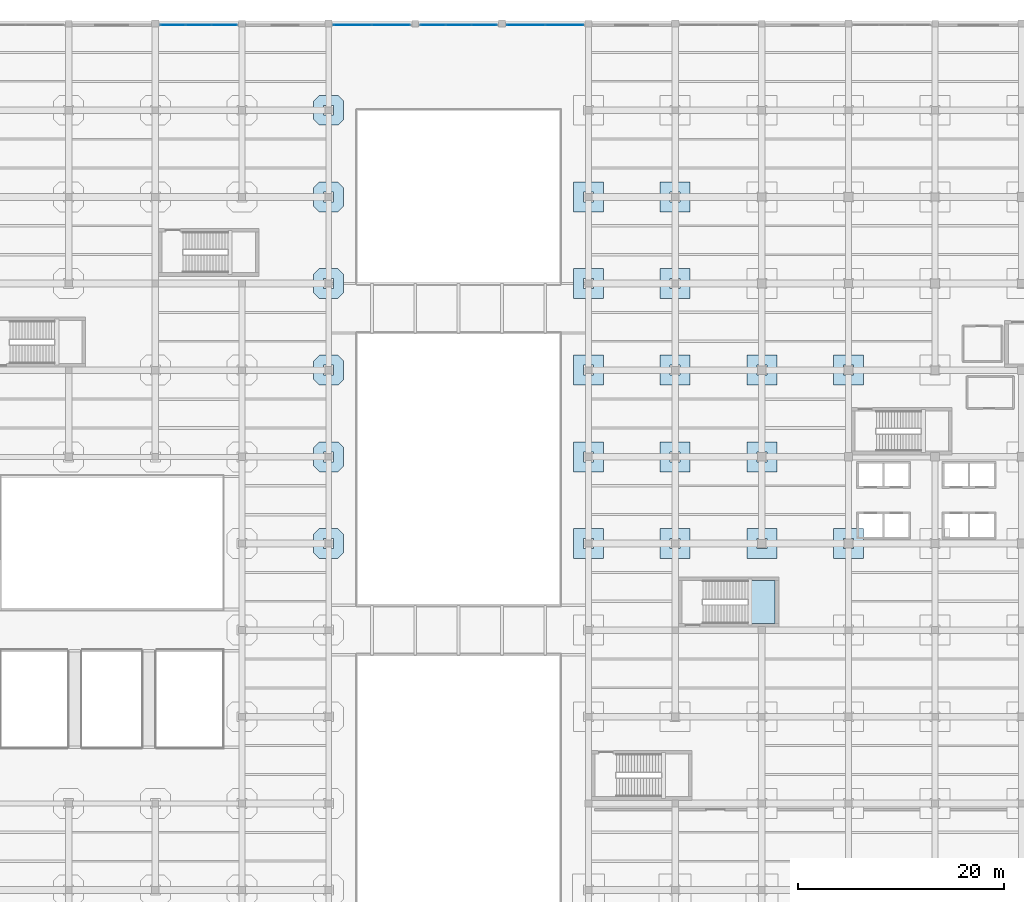
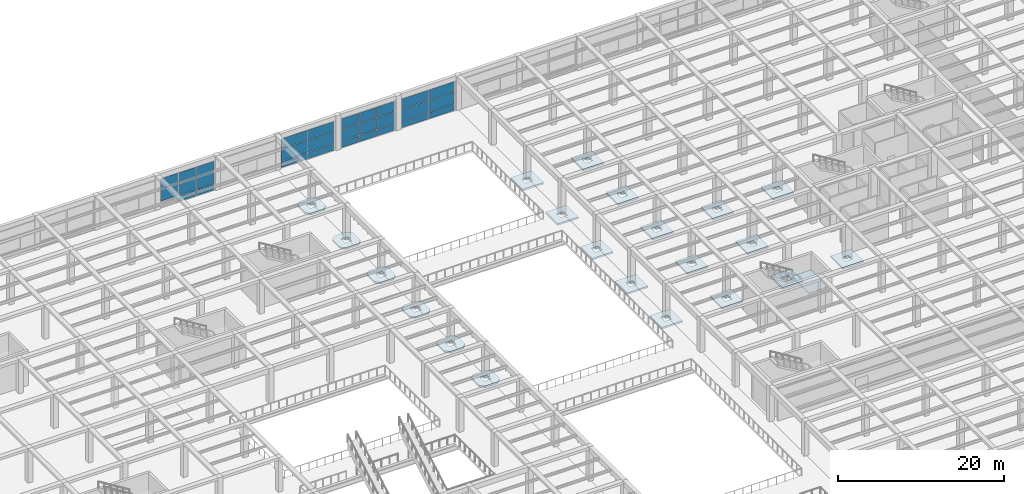
# One storey, part 73 of 95: 29 plates, 22 slabs, 5 elements without a shape of their own.
"""IFC4 building model written with IfcOpenShell, lengths in metres."""

import ifcopenshell
import ifcopenshell.guid

model = None  # the IFC model being written
_history = None  # IfcOwnerHistory: only IFC2X3 demands one
_inside = {}  # id of a spatial element -> (the spatial element, [elements in it])
_under = {}  # id of a project, library or spatial element -> (it, [spatial elements below it])
_declared = {}  # id of a project -> (the project, [libraries it declares])
_typed = {}  # id of a type object -> (the type object, [elements of that type])
_made_of = {}  # id of a material, layer set ... -> (it, [elements and type objects made of it])


def new_model(schema):
    """Start an empty IFC model of exactly this schema.

    Asked for "IFC4X3", IfcOpenShell would pick the latest addendum, in which some entities
    have other attributes; the version numbers below select the first issue.
    IFC2X3 requires an IfcOwnerHistory on every rooted entity: one is made here for all.
    """
    global model, _history
    if schema == "IFC4X3":
        model = ifcopenshell.file(schema_version=(4, 3, 0, 0))
    else:
        model = ifcopenshell.file(schema=schema)
    _inside.clear()
    _under.clear()
    _declared.clear()
    _typed.clear()
    _made_of.clear()
    _history = None
    if model.schema == "IFC2X3":
        org = make("IfcOrganization", Name="unknown")
        user = make(
            "IfcPersonAndOrganization",
            ThePerson=make("IfcPerson", FamilyName="unknown"),
            TheOrganization=org,
        )
        app = make(
            "IfcApplication",
            ApplicationDeveloper=org,
            Version="unknown",
            ApplicationFullName="unknown",
            ApplicationIdentifier="unknown",
        )
        _history = make(
            "IfcOwnerHistory",
            OwningUser=user,
            OwningApplication=app,
            ChangeAction="ADDED",
            CreationDate=0,
        )
    return model


def make(cls, **values):
    """One entity of the class cls with the attributes given. An attribute that is None is left unset."""
    return model.create_entity(
        cls, **{name: value for name, value in values.items() if value is not None}
    )


def rooted(cls, **values):
    """An entity with a GlobalId (a new one), such as an element, a storey or a relation."""
    return make(cls, GlobalId=ifcopenshell.guid.new(), OwnerHistory=_history, **values)


def si_unit(unit_type, name, prefix=None):
    """IfcSIUnit, for example si_unit("LENGTHUNIT", "METRE", prefix="MILLI")."""
    return make("IfcSIUnit", UnitType=unit_type, Prefix=prefix, Name=name)


def assignment(units):
    """IfcUnitAssignment: the units of a project."""
    return None if units is None else make("IfcUnitAssignment", Units=units)


def point(xyz):
    """IfcCartesianPoint."""
    return None if xyz is None else make("IfcCartesianPoint", Coordinates=xyz)


def direction(xyz):
    """IfcDirection."""
    return None if xyz is None else make("IfcDirection", DirectionRatios=xyz)


def frame(location, z_axis=None, x_axis=None):
    """IfcAxis2Placement3D, a coordinate frame: its origin and axes. An axis left out is left unset."""
    return make(
        "IfcAxis2Placement3D",
        Location=point(location),
        Axis=direction(z_axis),
        RefDirection=direction(x_axis),
    )


def frame_2d(location, x_axis=None):
    """IfcAxis2Placement2D, a coordinate frame in the plane: its origin and x axis."""
    return make(
        "IfcAxis2Placement2D", Location=point(location), RefDirection=direction(x_axis)
    )


def origin():
    """The frame at (0, 0, 0) with its axes left unset."""
    return frame((0.0, 0.0, 0.0))


def origin_2d():
    """The frame at (0, 0) in the plane with its x axis left unset."""
    return frame_2d((0.0, 0.0))


def place(relative_to, where):
    """IfcLocalPlacement: puts the frame where relative to a parent placement (None: the world)."""
    return make(
        "IfcLocalPlacement", PlacementRelTo=relative_to, RelativePlacement=where
    )


def context(
    kind, dimensions, precision=None, world=None, true_north=None, identifier=None
):
    """IfcGeometricRepresentationContext, for example the 3D "Model" context."""
    return make(
        "IfcGeometricRepresentationContext",
        ContextIdentifier=identifier,
        ContextType=kind,
        CoordinateSpaceDimension=dimensions,
        Precision=precision,
        WorldCoordinateSystem=world,
        TrueNorth=true_north,
    )


def subcontext(parent, identifier, kind, view, scale=None):
    """IfcGeometricRepresentationSubContext, for example "Body" below "Model"."""
    return make(
        "IfcGeometricRepresentationSubContext",
        ContextIdentifier=identifier,
        ContextType=kind,
        ParentContext=parent,
        TargetScale=scale,
        TargetView=view,
    )


def project(units=None, contexts=None):
    """IfcProject with its units and contexts."""
    return rooted(
        "IfcProject",
        Name="project",
        RepresentationContexts=contexts,
        UnitsInContext=assignment(units),
    )


def spatial(cls, under=None, at=None, **own):
    """A site, building, storey or space (cls), placed at a placement, below another one or the project."""
    s = rooted(cls, ObjectPlacement=at, **own)
    if under is not None:
        _under.setdefault(under.id(), (under, []))[1].append(s)
    return s


def polyline(points):
    """IfcPolyline through the points."""
    return make("IfcPolyline", Points=[point(p) for p in points])


def profile(cls, at=None, kind="AREA", **sizes):
    """A parametric profile (cls). Its sizes go by their IFC names, for example OverallWidth=200.0."""
    return make(cls, ProfileType=kind, Position=at, **sizes)


def rectangle(**sizes):
    """IfcRectangleProfileDef."""
    return profile("IfcRectangleProfileDef", **sizes)


def outline(outer, holes=None, kind="AREA"):
    """IfcArbitraryClosedProfileDef: a profile drawn as a closed curve; with holes, ...WithVoids."""
    if holes is None:
        return make("IfcArbitraryClosedProfileDef", ProfileType=kind, OuterCurve=outer)
    return make(
        "IfcArbitraryProfileDefWithVoids",
        ProfileType=kind,
        OuterCurve=outer,
        InnerCurves=holes,
    )


def extrude(swept, where, along, depth):
    """IfcExtrudedAreaSolid: the profile swept, set in the frame where, extruded along a direction by depth."""
    return make(
        "IfcExtrudedAreaSolid",
        SweptArea=swept,
        Position=where,
        ExtrudedDirection=direction(along),
        Depth=depth,
    )


def shape(context_of_items, identifier, shape_type, items):
    """IfcShapeRepresentation: the items that make up one representation, for example the "Body"."""
    return make(
        "IfcShapeRepresentation",
        ContextOfItems=context_of_items,
        RepresentationIdentifier=identifier,
        RepresentationType=shape_type,
        Items=items,
    )


def material(Name=None, Category=None):
    """IfcMaterial."""
    return make("IfcMaterial", Name=Name, Category=Category)


def layer(
    of_material, thickness, ventilated=None, Name=None, Category=None, Priority=None
):
    """IfcMaterialLayer: one layer of a wall or slab, of a material (None: an air gap)."""
    return make(
        "IfcMaterialLayer",
        Material=of_material,
        LayerThickness=thickness,
        IsVentilated=ventilated,
        Name=Name,
        Category=Category,
        Priority=Priority,
    )


def layer_set(layers, Name=None):
    """IfcMaterialLayerSet."""
    return make("IfcMaterialLayerSet", MaterialLayers=layers, LayerSetName=Name)


def made_of(thing, what):
    """Note that an element or type object is made of a material, layer set ...; save() writes the relation."""
    if what is not None:
        _made_of.setdefault(what.id(), (what, []))[1].append(thing)
    return thing


def type_object(cls, material=None, **own):
    """A type object (cls), such as IfcWallType, which elements share."""
    return made_of(rooted(cls, **own), material)


def element(
    cls,
    number,
    at=None,
    inside=None,
    cuts=None,
    type_object=None,
    material=None,
    context=None,
    identifier="Body",
    shape_type=None,
    held_by="IfcProductDefinitionShape",
    body=None,
    shapes=None,
    **own,
):
    """One element of the class cls, such as IfcWall. Its Tag is "e" and its number.

    at: its placement. inside: the storey or other place that contains it. cuts: it is an
    opening in that element (IfcRelVoidsElement). A single representation is given by context,
    identifier, shape_type and body (its items); several are given by shapes. held_by: the class
    of the entity that holds the representations. save() writes the other relations.
    """
    e = rooted(cls, Tag="e%d" % number, ObjectPlacement=at, **own)
    if body is not None:
        shapes = [shape(context, identifier, shape_type, body)]
    if shapes is not None:
        e.Representation = make(held_by, Representations=shapes)
    if inside is not None:
        _inside.setdefault(inside.id(), (inside, []))[1].append(e)
    if cuts is not None:
        rooted(
            "IfcRelVoidsElement", RelatingBuildingElement=cuts, RelatedOpeningElement=e
        )
    if type_object is not None:
        _typed.setdefault(type_object.id(), (type_object, []))[1].append(e)
    return made_of(e, material)


def aggregate(whole, parts):
    """IfcRelAggregates: a whole, such as a stair, and the parts it consists of."""
    return rooted("IfcRelAggregates", RelatingObject=whole, RelatedObjects=parts)


def save(model, path):
    """Write the relations noted so far, then the file.

    IfcRelAggregates (storeys below a building ...), IfcRelContainedInSpatialStructure (elements
    in a storey), IfcRelDefinesByType, IfcRelAssociatesMaterial and IfcRelDeclares: one each for
    every whole, place, type object, material and project.
    """
    for whole, parts in _under.values():
        aggregate(whole, parts)
    for where, things in _inside.values():
        rooted(
            "IfcRelContainedInSpatialStructure",
            RelatedElements=things,
            RelatingStructure=where,
        )
    for kind, things in _typed.values():
        rooted("IfcRelDefinesByType", RelatedObjects=things, RelatingType=kind)
    for what, things in _made_of.values():
        rooted("IfcRelAssociatesMaterial", RelatedObjects=things, RelatingMaterial=what)
    for by, libraries in _declared.values():
        rooted("IfcRelDeclares", RelatingContext=by, RelatedDefinitions=libraries)
    model.write(path)


model = new_model("IFC4")

# Units and contexts
model_context = context("Model", 3, precision=1e-05, world=origin(), true_north=direction((0.0, 1.0)))
body_context = subcontext(model_context, "Body", "Model", "MODEL_VIEW")
ifc_project = project(units=[si_unit("LENGTHUNIT", "METRE"), si_unit("AREAUNIT", "SQUARE_METRE"), si_unit("VOLUMEUNIT", "CUBIC_METRE"), si_unit("PLANEANGLEUNIT", "RADIAN"), si_unit("MASSUNIT", "GRAM", prefix="KILO")], contexts=[model_context])

# Site, building, storey
site_placement = place(None, origin())
site = spatial("IfcSite", under=ifc_project, at=site_placement, CompositionType="ELEMENT")
building_placement = place(site_placement, origin())
building = spatial("IfcBuilding", under=site, at=building_placement, Name="Almacenes y Pasaje Nevantli", CompositionType="ELEMENT")
storey_placement = place(building_placement, frame((0.0, 0.0, 11.39990234375)))
storey = spatial("IfcBuildingStorey", under=building, at=storey_placement, Name="L03", CompositionType="ELEMENT", Elevation=11.39990234375)

# Curtain wall, plates
ifc_material_1 = material(Name="Thermally Broken Aluminium and Low-E Glass", Category="aluminium")
curtain_wall_type_1 = type_object("IfcCurtainWallType", Name="CW-STF-BLVD", PredefinedType="USERDEFINED", material=ifc_material_1)
curtain_wall_1_placement = place(storey_placement, origin())
curtain_wall_1 = element("IfcCurtainWall", 1, at=curtain_wall_1_placement, inside=storey, type_object=curtain_wall_type_1, Name="L03 North Boulevard Retail Curtain Wall Bay 7", ObjectType="STOREFRONT GLAZING", PredefinedType="USERDEFINED")
ifc_material_2 = material(Name="Low-E Double Glazed Insulated Unit", Category="glass")
ifc_layer_1 = layer(ifc_material_2, 0.031982421875)
ifc_layer_set_1 = layer_set([ifc_layer_1], Name="Low-E Double Glazed Insulated Unit")
plate_type_1 = type_object("IfcPlateType", Name="PL-IGU-32", PredefinedType="CURTAIN_PANEL", material=ifc_layer_set_1)
plate_1_placement = place(storey_placement, frame((52.114990234375, 117.449951171875, 0.97998046875), z_axis=(0.0, 0.0, 1.0), x_axis=(1.0, 0.0, 0.0)))
plate_1 = element("IfcPlate", 2, at=plate_1_placement, type_object=plate_type_1, Name="CW-L03-037 panel 1.2", PredefinedType="CURTAIN_PANEL", context=body_context, shape_type="SweptSolid", body=[
    extrude(rectangle(XDim=2.409912109375, YDim=0.031982421875, at=origin_2d()), origin(), (0.0, 0.0, 1.0), 1.840087890625),
])
plate_2_placement = place(storey_placement, frame((52.114990234375, 117.449951171875, 2.880126953125), z_axis=(0.0, 0.0, 1.0), x_axis=(1.0, 0.0, 0.0)))
plate_2 = element("IfcPlate", 3, at=plate_2_placement, type_object=plate_type_1, Name="CW-L03-037 panel 1.3", PredefinedType="CURTAIN_PANEL", context=body_context, shape_type="SweptSolid", body=[
    extrude(rectangle(XDim=2.409912109375, YDim=0.031982421875, at=origin_2d()), origin(), (0.0, 0.0, 1.0), 1.43994140625),
])
plate_3_placement = place(storey_placement, frame((54.60009765625, 117.449951171875, 0.06005859375), z_axis=(0.0, 0.0, 1.0), x_axis=(1.0, 0.0, 0.0)))
plate_3 = element("IfcPlate", 4, at=plate_3_placement, type_object=plate_type_1, Name="CW-L03-037 panel 2.1", PredefinedType="CURTAIN_PANEL", context=body_context, shape_type="SweptSolid", body=[
    extrude(rectangle(XDim=2.43994140625, YDim=0.031982421875, at=origin_2d()), origin(), (0.0, 0.0, 1.0), 0.860107421875),
])
plate_4_placement = place(storey_placement, frame((54.60009765625, 117.449951171875, 0.97998046875), z_axis=(0.0, 0.0, 1.0), x_axis=(1.0, 0.0, 0.0)))
plate_4 = element("IfcPlate", 5, at=plate_4_placement, type_object=plate_type_1, Name="CW-L03-037 panel 2.2", PredefinedType="CURTAIN_PANEL", context=body_context, shape_type="SweptSolid", body=[
    extrude(rectangle(XDim=2.43994140625, YDim=0.031982421875, at=origin_2d()), origin(), (0.0, 0.0, 1.0), 1.840087890625),
])
plate_5_placement = place(storey_placement, frame((54.60009765625, 117.449951171875, 2.880126953125), z_axis=(0.0, 0.0, 1.0), x_axis=(1.0, 0.0, 0.0)))
plate_5 = element("IfcPlate", 6, at=plate_5_placement, type_object=plate_type_1, Name="CW-L03-037 panel 2.3", PredefinedType="CURTAIN_PANEL", context=body_context, shape_type="SweptSolid", body=[
    extrude(rectangle(XDim=2.43994140625, YDim=0.031982421875, at=origin_2d()), origin(), (0.0, 0.0, 1.0), 1.43994140625),
])
plate_6_placement = place(storey_placement, frame((57.0849609375, 117.449951171875, 0.06005859375), z_axis=(0.0, 0.0, 1.0), x_axis=(1.0, 0.0, 0.0)))
plate_6 = element("IfcPlate", 7, at=plate_6_placement, type_object=plate_type_1, Name="CW-L03-037 panel 3.1", PredefinedType="CURTAIN_PANEL", context=body_context, shape_type="SweptSolid", body=[
    extrude(rectangle(XDim=2.409912109375, YDim=0.031982421875, at=origin_2d()), origin(), (0.0, 0.0, 1.0), 0.860107421875),
])
plate_7_placement = place(storey_placement, frame((57.0849609375, 117.449951171875, 0.97998046875), z_axis=(0.0, 0.0, 1.0), x_axis=(1.0, 0.0, 0.0)))
plate_7 = element("IfcPlate", 8, at=plate_7_placement, type_object=plate_type_1, Name="CW-L03-037 panel 3.2", PredefinedType="CURTAIN_PANEL", context=body_context, shape_type="SweptSolid", body=[
    extrude(rectangle(XDim=2.409912109375, YDim=0.031982421875, at=origin_2d()), origin(), (0.0, 0.0, 1.0), 1.840087890625),
])
plate_8_placement = place(storey_placement, frame((57.0849609375, 117.449951171875, 2.880126953125), z_axis=(0.0, 0.0, 1.0), x_axis=(1.0, 0.0, 0.0)))
plate_8 = element("IfcPlate", 9, at=plate_8_placement, type_object=plate_type_1, Name="CW-L03-037 panel 3.3", PredefinedType="CURTAIN_PANEL", context=body_context, shape_type="SweptSolid", body=[
    extrude(rectangle(XDim=2.409912109375, YDim=0.031982421875, at=origin_2d()), origin(), (0.0, 0.0, 1.0), 1.43994140625),
])
aggregate(curtain_wall_1, [plate_1, plate_2, plate_3, plate_4, plate_5, plate_6, plate_7, plate_8])

ifc_material_3 = material(Name="Thermally Broken Aluminium and Low-E Glass", Category="aluminium")
curtain_wall_type_2 = type_object("IfcCurtainWallType", Name="CW-STF-ARCADE", PredefinedType="USERDEFINED", material=ifc_material_3)
curtain_wall_2_placement = place(storey_placement, origin())
curtain_wall_2 = element("IfcCurtainWall", 10, at=curtain_wall_2_placement, inside=storey, type_object=curtain_wall_type_2, Name="L03 North Arcade Monumental Portal Curtain Wall Bay 9", ObjectType="STOREFRONT GLAZING", PredefinedType="USERDEFINED")
ifc_material_4 = material(Name="Acoustic Tempered Low-E Triple Glazed Unit", Category="glass")
ifc_layer_2 = layer(ifc_material_4, 0.0419921875)
ifc_layer_set_2 = layer_set([ifc_layer_2], Name="Acoustic Tempered Low-E Triple Glazed Unit")
plate_type_2 = type_object("IfcPlateType", Name="PL-IGU-42", PredefinedType="CURTAIN_PANEL", material=ifc_layer_set_2)
plate_9_placement = place(storey_placement, frame((69.541259765625, 117.449951171875, 0.06494140625), z_axis=(0.0, 0.0, 1.0), x_axis=(1.0, 0.0, 0.0)))
plate_9 = element("IfcPlate", 11, at=plate_9_placement, type_object=plate_type_2, Name="CW-L03-038 panel 1.1", PredefinedType="CURTAIN_PANEL", context=body_context, shape_type="SweptSolid", body=[
    extrude(rectangle(XDim=3.652587890625, YDim=0.0419921875, at=origin_2d()), origin(), (0.0, 0.0, 1.0), 0.902587890625),
])
plate_10_placement = place(storey_placement, frame((69.541259765625, 117.449951171875, 1.03271484375), z_axis=(0.0, 0.0, 1.0), x_axis=(1.0, 0.0, 0.0)))
plate_10 = element("IfcPlate", 12, at=plate_10_placement, type_object=plate_type_2, Name="CW-L03-038 panel 1.2", PredefinedType="CURTAIN_PANEL", context=body_context, shape_type="SweptSolid", body=[
    extrude(rectangle(XDim=3.652587890625, YDim=0.0419921875, at=origin_2d()), origin(), (0.0, 0.0, 1.0), 1.735107421875),
])
plate_11_placement = place(storey_placement, frame((69.541259765625, 117.449951171875, 2.83251953125), z_axis=(0.0, 0.0, 1.0), x_axis=(1.0, 0.0, 0.0)))
plate_11 = element("IfcPlate", 13, at=plate_11_placement, type_object=plate_type_2, Name="CW-L03-038 panel 1.3", PredefinedType="CURTAIN_PANEL", context=body_context, shape_type="SweptSolid", body=[
    extrude(rectangle(XDim=3.652587890625, YDim=0.0419921875, at=origin_2d()), origin(), (0.0, 0.0, 1.0), 1.482421875),
])
plate_12_placement = place(storey_placement, frame((73.2587890625, 117.449951171875, 0.06494140625), z_axis=(0.0, 0.0, 1.0), x_axis=(1.0, 0.0, 0.0)))
plate_12 = element("IfcPlate", 14, at=plate_12_placement, type_object=plate_type_2, Name="CW-L03-038 panel 2.1", PredefinedType="CURTAIN_PANEL", context=body_context, shape_type="SweptSolid", body=[
    extrude(rectangle(XDim=3.652587890625, YDim=0.0419921875, at=origin_2d()), origin(), (0.0, 0.0, 1.0), 0.902587890625),
])
plate_13_placement = place(storey_placement, frame((73.2587890625, 117.449951171875, 1.03271484375), z_axis=(0.0, 0.0, 1.0), x_axis=(1.0, 0.0, 0.0)))
plate_13 = element("IfcPlate", 15, at=plate_13_placement, type_object=plate_type_2, Name="CW-L03-038 panel 2.2", PredefinedType="CURTAIN_PANEL", context=body_context, shape_type="SweptSolid", body=[
    extrude(rectangle(XDim=3.652587890625, YDim=0.0419921875, at=origin_2d()), origin(), (0.0, 0.0, 1.0), 1.735107421875),
])
plate_14_placement = place(storey_placement, frame((73.2587890625, 117.449951171875, 2.83251953125), z_axis=(0.0, 0.0, 1.0), x_axis=(1.0, 0.0, 0.0)))
plate_14 = element("IfcPlate", 16, at=plate_14_placement, type_object=plate_type_2, Name="CW-L03-038 panel 2.3", PredefinedType="CURTAIN_PANEL", context=body_context, shape_type="SweptSolid", body=[
    extrude(rectangle(XDim=3.652587890625, YDim=0.0419921875, at=origin_2d()), origin(), (0.0, 0.0, 1.0), 1.482421875),
])
aggregate(curtain_wall_2, [plate_9, plate_10, plate_11, plate_12, plate_13, plate_14])

curtain_wall_3_placement = place(storey_placement, origin())
curtain_wall_3 = element("IfcCurtainWall", 17, at=curtain_wall_3_placement, inside=storey, type_object=curtain_wall_type_2, Name="L03 North Arcade Monumental Portal Curtain Wall Bay 10", ObjectType="STOREFRONT GLAZING", PredefinedType="USERDEFINED")
plate_15_placement = place(storey_placement, frame((77.316162109375, 117.449951171875, 0.06494140625), z_axis=(0.0, 0.0, 1.0), x_axis=(1.0, 0.0, 0.0)))
plate_15 = element("IfcPlate", 18, at=plate_15_placement, type_object=plate_type_2, Name="CW-L03-039 panel 1.1", PredefinedType="CURTAIN_PANEL", context=body_context, shape_type="SweptSolid", body=[
    extrude(rectangle(XDim=2.402587890625, YDim=0.0419921875, at=origin_2d()), origin(), (0.0, 0.0, 1.0), 0.902587890625),
])
plate_16_placement = place(storey_placement, frame((77.316162109375, 117.449951171875, 1.03271484375), z_axis=(0.0, 0.0, 1.0), x_axis=(1.0, 0.0, 0.0)))
plate_16 = element("IfcPlate", 19, at=plate_16_placement, type_object=plate_type_2, Name="CW-L03-039 panel 1.2", PredefinedType="CURTAIN_PANEL", context=body_context, shape_type="SweptSolid", body=[
    extrude(rectangle(XDim=2.402587890625, YDim=0.0419921875, at=origin_2d()), origin(), (0.0, 0.0, 1.0), 1.735107421875),
])
plate_17_placement = place(storey_placement, frame((77.316162109375, 117.449951171875, 2.83251953125), z_axis=(0.0, 0.0, 1.0), x_axis=(1.0, 0.0, 0.0)))
plate_17 = element("IfcPlate", 20, at=plate_17_placement, type_object=plate_type_2, Name="CW-L03-039 panel 1.3", PredefinedType="CURTAIN_PANEL", context=body_context, shape_type="SweptSolid", body=[
    extrude(rectangle(XDim=2.402587890625, YDim=0.0419921875, at=origin_2d()), origin(), (0.0, 0.0, 1.0), 1.482421875),
])
plate_18_placement = place(storey_placement, frame((79.800048828125, 117.449951171875, 0.06494140625), z_axis=(0.0, 0.0, 1.0), x_axis=(1.0, 0.0, 0.0)))
plate_18 = element("IfcPlate", 21, at=plate_18_placement, type_object=plate_type_2, Name="CW-L03-039 panel 2.1", PredefinedType="CURTAIN_PANEL", context=body_context, shape_type="SweptSolid", body=[
    extrude(rectangle(XDim=2.43505859375, YDim=0.0419921875, at=origin_2d()), origin(), (0.0, 0.0, 1.0), 0.902587890625),
])
plate_19_placement = place(storey_placement, frame((79.800048828125, 117.449951171875, 1.03271484375), z_axis=(0.0, 0.0, 1.0), x_axis=(1.0, 0.0, 0.0)))
plate_19 = element("IfcPlate", 22, at=plate_19_placement, type_object=plate_type_2, Name="CW-L03-039 panel 2.2", PredefinedType="CURTAIN_PANEL", context=body_context, shape_type="SweptSolid", body=[
    extrude(rectangle(XDim=2.43505859375, YDim=0.0419921875, at=origin_2d()), origin(), (0.0, 0.0, 1.0), 1.735107421875),
])
plate_20_placement = place(storey_placement, frame((79.800048828125, 117.449951171875, 2.83251953125), z_axis=(0.0, 0.0, 1.0), x_axis=(1.0, 0.0, 0.0)))
plate_20 = element("IfcPlate", 23, at=plate_20_placement, type_object=plate_type_2, Name="CW-L03-039 panel 2.3", PredefinedType="CURTAIN_PANEL", context=body_context, shape_type="SweptSolid", body=[
    extrude(rectangle(XDim=2.43505859375, YDim=0.0419921875, at=origin_2d()), origin(), (0.0, 0.0, 1.0), 1.482421875),
])
plate_21_placement = place(storey_placement, frame((82.28369140625, 117.449951171875, 0.06494140625), z_axis=(0.0, 0.0, 1.0), x_axis=(1.0, 0.0, 0.0)))
plate_21 = element("IfcPlate", 24, at=plate_21_placement, type_object=plate_type_2, Name="CW-L03-039 panel 3.1", PredefinedType="CURTAIN_PANEL", context=body_context, shape_type="SweptSolid", body=[
    extrude(rectangle(XDim=2.402587890625, YDim=0.0419921875, at=origin_2d()), origin(), (0.0, 0.0, 1.0), 0.902587890625),
])
plate_22_placement = place(storey_placement, frame((82.28369140625, 117.449951171875, 1.03271484375), z_axis=(0.0, 0.0, 1.0), x_axis=(1.0, 0.0, 0.0)))
plate_22 = element("IfcPlate", 25, at=plate_22_placement, type_object=plate_type_2, Name="CW-L03-039 panel 3.2", PredefinedType="CURTAIN_PANEL", context=body_context, shape_type="SweptSolid", body=[
    extrude(rectangle(XDim=2.402587890625, YDim=0.0419921875, at=origin_2d()), origin(), (0.0, 0.0, 1.0), 1.735107421875),
])
plate_23_placement = place(storey_placement, frame((82.28369140625, 117.449951171875, 2.83251953125), z_axis=(0.0, 0.0, 1.0), x_axis=(1.0, 0.0, 0.0)))
plate_23 = element("IfcPlate", 26, at=plate_23_placement, type_object=plate_type_2, Name="CW-L03-039 panel 3.3", PredefinedType="CURTAIN_PANEL", context=body_context, shape_type="SweptSolid", body=[
    extrude(rectangle(XDim=2.402587890625, YDim=0.0419921875, at=origin_2d()), origin(), (0.0, 0.0, 1.0), 1.482421875),
])
aggregate(curtain_wall_3, [plate_15, plate_16, plate_17, plate_18, plate_19, plate_20, plate_21, plate_22, plate_23])

curtain_wall_4_placement = place(storey_placement, origin())
curtain_wall_4 = element("IfcCurtainWall", 27, at=curtain_wall_4_placement, inside=storey, type_object=curtain_wall_type_2, Name="L03 North Arcade Monumental Portal Curtain Wall Bay 11", ObjectType="STOREFRONT GLAZING", PredefinedType="USERDEFINED")
plate_24_placement = place(storey_placement, frame((86.34130859375, 117.449951171875, 0.06494140625), z_axis=(0.0, 0.0, 1.0), x_axis=(1.0, 0.0, 0.0)))
plate_24 = element("IfcPlate", 28, at=plate_24_placement, type_object=plate_type_2, Name="CW-L03-040 panel 1.1", PredefinedType="CURTAIN_PANEL", context=body_context, shape_type="SweptSolid", body=[
    extrude(rectangle(XDim=3.652587890625, YDim=0.0419921875, at=origin_2d()), origin(), (0.0, 0.0, 1.0), 0.902587890625),
])
plate_25_placement = place(storey_placement, frame((86.34130859375, 117.449951171875, 1.03271484375), z_axis=(0.0, 0.0, 1.0), x_axis=(1.0, 0.0, 0.0)))
plate_25 = element("IfcPlate", 29, at=plate_25_placement, type_object=plate_type_2, Name="CW-L03-040 panel 1.2", PredefinedType="CURTAIN_PANEL", context=body_context, shape_type="SweptSolid", body=[
    extrude(rectangle(XDim=3.652587890625, YDim=0.0419921875, at=origin_2d()), origin(), (0.0, 0.0, 1.0), 1.735107421875),
])
plate_26_placement = place(storey_placement, frame((86.34130859375, 117.449951171875, 2.83251953125), z_axis=(0.0, 0.0, 1.0), x_axis=(1.0, 0.0, 0.0)))
plate_26 = element("IfcPlate", 30, at=plate_26_placement, type_object=plate_type_2, Name="CW-L03-040 panel 1.3", PredefinedType="CURTAIN_PANEL", context=body_context, shape_type="SweptSolid", body=[
    extrude(rectangle(XDim=3.652587890625, YDim=0.0419921875, at=origin_2d()), origin(), (0.0, 0.0, 1.0), 1.482421875),
])
plate_27_placement = place(storey_placement, frame((90.058837890625, 117.449951171875, 0.06494140625), z_axis=(0.0, 0.0, 1.0), x_axis=(1.0, 0.0, 0.0)))
plate_27 = element("IfcPlate", 31, at=plate_27_placement, type_object=plate_type_2, Name="CW-L03-040 panel 2.1", PredefinedType="CURTAIN_PANEL", context=body_context, shape_type="SweptSolid", body=[
    extrude(rectangle(XDim=3.652587890625, YDim=0.0419921875, at=origin_2d()), origin(), (0.0, 0.0, 1.0), 0.902587890625),
])
plate_28_placement = place(storey_placement, frame((90.058837890625, 117.449951171875, 1.03271484375), z_axis=(0.0, 0.0, 1.0), x_axis=(1.0, 0.0, 0.0)))
plate_28 = element("IfcPlate", 32, at=plate_28_placement, type_object=plate_type_2, Name="CW-L03-040 panel 2.2", PredefinedType="CURTAIN_PANEL", context=body_context, shape_type="SweptSolid", body=[
    extrude(rectangle(XDim=3.652587890625, YDim=0.0419921875, at=origin_2d()), origin(), (0.0, 0.0, 1.0), 1.735107421875),
])
plate_29_placement = place(storey_placement, frame((90.058837890625, 117.449951171875, 2.83251953125), z_axis=(0.0, 0.0, 1.0), x_axis=(1.0, 0.0, 0.0)))
plate_29 = element("IfcPlate", 33, at=plate_29_placement, type_object=plate_type_2, Name="CW-L03-040 panel 2.3", PredefinedType="CURTAIN_PANEL", context=body_context, shape_type="SweptSolid", body=[
    extrude(rectangle(XDim=3.652587890625, YDim=0.0419921875, at=origin_2d()), origin(), (0.0, 0.0, 1.0), 1.482421875),
])
aggregate(curtain_wall_4, [plate_24, plate_25, plate_26, plate_27, plate_28, plate_29])

# Slabs
ifc_material_5 = material(Name="Concrete C35/45", Category="concrete")
ifc_layer_3 = layer(ifc_material_5, 0.25)
ifc_layer_set_3 = layer_set([ifc_layer_3], Name="Concrete C35/45")
slab_type_1 = type_object("IfcSlabType", Name="SLB-DP-250", PredefinedType="USERDEFINED", material=ifc_layer_set_3)
slab_1_placement = place(storey_placement, frame((0.0, 0.0, -0.5498046875)))
element("IfcSlab", 34, at=slab_1_placement, inside=storey, type_object=slab_type_1, Name="L03 Punching-Shear Drop Panel DP-02 #649", ObjectType="DROP PANEL", PredefinedType="USERDEFINED", context=body_context, shape_type="SweptSolid", body=[
    extrude(outline(polyline([(66.300048828125, 65.75), (68.10009765625, 65.75), (68.64990234375, 66.300048828125), (68.64990234375, 68.10009765625), (68.10009765625, 68.64990234375), (66.300048828125, 68.64990234375), (65.75, 68.10009765625), (65.75, 66.300048828125), (66.300048828125, 65.75)]), holes=[polyline([(66.719970703125, 66.719970703125), (67.679931640625, 66.719970703125), (67.679931640625, 67.679931640625), (66.719970703125, 67.679931640625), (66.719970703125, 66.719970703125)])]), origin(), (0.0, 0.0, 1.0), 0.25),
])
slab_2_placement = place(storey_placement, frame((0.0, 0.0, -0.5498046875)))
element("IfcSlab", 35, at=slab_2_placement, inside=storey, type_object=slab_type_1, Name="L03 Punching-Shear Drop Panel DP-02 #650", ObjectType="DROP PANEL", PredefinedType="USERDEFINED", context=body_context, shape_type="SweptSolid", body=[
    extrude(outline(polyline([(66.300048828125, 74.14990234375), (68.10009765625, 74.14990234375), (68.64990234375, 74.699951171875), (68.64990234375, 76.5), (68.10009765625, 77.050048828125), (66.300048828125, 77.050048828125), (65.75, 76.5), (65.75, 74.699951171875), (66.300048828125, 74.14990234375)]), holes=[polyline([(66.719970703125, 75.1201171875), (67.679931640625, 75.1201171875), (67.679931640625, 76.080078125), (66.719970703125, 76.080078125), (66.719970703125, 75.1201171875)])]), origin(), (0.0, 0.0, 1.0), 0.25),
])
slab_3_placement = place(storey_placement, frame((0.0, 0.0, -0.5498046875)))
element("IfcSlab", 36, at=slab_3_placement, inside=storey, type_object=slab_type_1, Name="L03 Punching-Shear Drop Panel DP-02 #651", ObjectType="DROP PANEL", PredefinedType="USERDEFINED", context=body_context, shape_type="SweptSolid", body=[
    extrude(outline(polyline([(66.300048828125, 82.550048828125), (68.10009765625, 82.550048828125), (68.64990234375, 83.10009765625), (68.64990234375, 84.89990234375), (68.10009765625, 85.449951171875), (66.300048828125, 85.449951171875), (65.75, 84.89990234375), (65.75, 83.10009765625), (66.300048828125, 82.550048828125)]), holes=[polyline([(66.719970703125, 83.52001953125), (67.679931640625, 83.52001953125), (67.679931640625, 84.47998046875), (66.719970703125, 84.47998046875), (66.719970703125, 83.52001953125)])]), origin(), (0.0, 0.0, 1.0), 0.25),
])
slab_4_placement = place(storey_placement, frame((0.0, 0.0, -0.5498046875)))
element("IfcSlab", 37, at=slab_4_placement, inside=storey, type_object=slab_type_1, Name="L03 Punching-Shear Drop Panel DP-02 #652", ObjectType="DROP PANEL", PredefinedType="USERDEFINED", context=body_context, shape_type="SweptSolid", body=[
    extrude(outline(polyline([(66.300048828125, 90.949951171875), (68.10009765625, 90.949951171875), (68.64990234375, 91.5), (68.64990234375, 93.300048828125), (68.10009765625, 93.85009765625), (66.300048828125, 93.85009765625), (65.75, 93.300048828125), (65.75, 91.5), (66.300048828125, 90.949951171875)]), holes=[polyline([(66.719970703125, 91.919921875), (67.679931640625, 91.919921875), (67.679931640625, 92.8798828125), (66.719970703125, 92.8798828125), (66.719970703125, 91.919921875)])]), origin(), (0.0, 0.0, 1.0), 0.25),
])
slab_5_placement = place(storey_placement, frame((0.0, 0.0, -0.5498046875)))
element("IfcSlab", 38, at=slab_5_placement, inside=storey, type_object=slab_type_1, Name="L03 Punching-Shear Drop Panel DP-02 #653", ObjectType="DROP PANEL", PredefinedType="USERDEFINED", context=body_context, shape_type="SweptSolid", body=[
    extrude(outline(polyline([(66.300048828125, 99.35009765625), (68.10009765625, 99.35009765625), (68.64990234375, 99.89990234375), (68.64990234375, 101.699951171875), (68.10009765625, 102.25), (66.300048828125, 102.25), (65.75, 101.699951171875), (65.75, 99.89990234375), (66.300048828125, 99.35009765625)]), holes=[polyline([(66.719970703125, 100.320068359375), (67.679931640625, 100.320068359375), (67.679931640625, 101.280029296875), (66.719970703125, 101.280029296875), (66.719970703125, 100.320068359375)])]), origin(), (0.0, 0.0, 1.0), 0.25),
])
slab_6_placement = place(storey_placement, frame((0.0, 0.0, -0.5498046875)))
element("IfcSlab", 39, at=slab_6_placement, inside=storey, type_object=slab_type_1, Name="L03 Punching-Shear Drop Panel DP-02 #654", ObjectType="DROP PANEL", PredefinedType="USERDEFINED", context=body_context, shape_type="SweptSolid", body=[
    extrude(outline(polyline([(66.300048828125, 107.75), (68.10009765625, 107.75), (68.64990234375, 108.300048828125), (68.64990234375, 110.10009765625), (68.10009765625, 110.64990234375), (66.300048828125, 110.64990234375), (65.75, 110.10009765625), (65.75, 108.300048828125), (66.300048828125, 107.75)]), holes=[polyline([(66.719970703125, 108.719970703125), (67.679931640625, 108.719970703125), (67.679931640625, 109.679931640625), (66.719970703125, 109.679931640625), (66.719970703125, 108.719970703125)])]), origin(), (0.0, 0.0, 1.0), 0.25),
])
slab_7_placement = place(storey_placement, frame((0.0, 0.0, -0.5498046875)))
element("IfcSlab", 40, at=slab_7_placement, inside=storey, type_object=slab_type_1, Name="L03 Punching-Shear Drop Panel DP-02 #661", ObjectType="DROP PANEL", PredefinedType="USERDEFINED", context=body_context, shape_type="SweptSolid", body=[
    extrude(outline(polyline([(90.949951171875, 65.75), (93.85009765625, 65.75), (93.85009765625, 68.64990234375), (90.949951171875, 68.64990234375), (90.949951171875, 65.75)]), holes=[polyline([(91.919921875, 66.719970703125), (92.8798828125, 66.719970703125), (92.8798828125, 67.679931640625), (91.919921875, 67.679931640625), (91.919921875, 66.719970703125)])]), origin(), (0.0, 0.0, 1.0), 0.25),
])
slab_8_placement = place(storey_placement, frame((0.0, 0.0, -0.5498046875)))
element("IfcSlab", 41, at=slab_8_placement, inside=storey, type_object=slab_type_1, Name="L03 Punching-Shear Drop Panel DP-02 #662", ObjectType="DROP PANEL", PredefinedType="USERDEFINED", context=body_context, shape_type="SweptSolid", body=[
    extrude(outline(polyline([(90.949951171875, 74.14990234375), (93.85009765625, 74.14990234375), (93.85009765625, 77.050048828125), (90.949951171875, 77.050048828125), (90.949951171875, 74.14990234375)]), holes=[polyline([(91.919921875, 75.1201171875), (92.8798828125, 75.1201171875), (92.8798828125, 76.080078125), (91.919921875, 76.080078125), (91.919921875, 75.1201171875)])]), origin(), (0.0, 0.0, 1.0), 0.25),
])
slab_9_placement = place(storey_placement, frame((0.0, 0.0, -0.5498046875)))
element("IfcSlab", 42, at=slab_9_placement, inside=storey, type_object=slab_type_1, Name="L03 Punching-Shear Drop Panel DP-02 #663", ObjectType="DROP PANEL", PredefinedType="USERDEFINED", context=body_context, shape_type="SweptSolid", body=[
    extrude(outline(polyline([(90.949951171875, 82.550048828125), (93.85009765625, 82.550048828125), (93.85009765625, 85.449951171875), (90.949951171875, 85.449951171875), (90.949951171875, 82.550048828125)]), holes=[polyline([(91.919921875, 83.52001953125), (92.8798828125, 83.52001953125), (92.8798828125, 84.47998046875), (91.919921875, 84.47998046875), (91.919921875, 83.52001953125)])]), origin(), (0.0, 0.0, 1.0), 0.25),
])
slab_10_placement = place(storey_placement, frame((0.0, 0.0, -0.5498046875)))
element("IfcSlab", 43, at=slab_10_placement, inside=storey, type_object=slab_type_1, Name="L03 Punching-Shear Drop Panel DP-02 #664", ObjectType="DROP PANEL", PredefinedType="USERDEFINED", context=body_context, shape_type="SweptSolid", body=[
    extrude(outline(polyline([(90.949951171875, 90.949951171875), (93.85009765625, 90.949951171875), (93.85009765625, 93.85009765625), (90.949951171875, 93.85009765625), (90.949951171875, 90.949951171875)]), holes=[polyline([(91.919921875, 91.919921875), (92.8798828125, 91.919921875), (92.8798828125, 92.8798828125), (91.919921875, 92.8798828125), (91.919921875, 91.919921875)])]), origin(), (0.0, 0.0, 1.0), 0.25),
])
slab_11_placement = place(storey_placement, frame((0.0, 0.0, -0.5498046875)))
element("IfcSlab", 44, at=slab_11_placement, inside=storey, type_object=slab_type_1, Name="L03 Punching-Shear Drop Panel DP-02 #665", ObjectType="DROP PANEL", PredefinedType="USERDEFINED", context=body_context, shape_type="SweptSolid", body=[
    extrude(outline(polyline([(90.949951171875, 99.35009765625), (93.85009765625, 99.35009765625), (93.85009765625, 102.25), (90.949951171875, 102.25), (90.949951171875, 99.35009765625)]), holes=[polyline([(91.919921875, 100.320068359375), (92.8798828125, 100.320068359375), (92.8798828125, 101.280029296875), (91.919921875, 101.280029296875), (91.919921875, 100.320068359375)])]), origin(), (0.0, 0.0, 1.0), 0.25),
])
slab_12_placement = place(storey_placement, frame((0.0, 0.0, -0.5498046875)))
element("IfcSlab", 45, at=slab_12_placement, inside=storey, type_object=slab_type_1, Name="L03 Punching-Shear Drop Panel DP-02 #672", ObjectType="DROP PANEL", PredefinedType="USERDEFINED", context=body_context, shape_type="SweptSolid", body=[
    extrude(outline(polyline([(99.35009765625, 65.75), (102.25, 65.75), (102.25, 68.64990234375), (99.35009765625, 68.64990234375), (99.35009765625, 65.75)]), holes=[polyline([(100.320068359375, 66.719970703125), (101.280029296875, 66.719970703125), (101.280029296875, 67.679931640625), (100.320068359375, 67.679931640625), (100.320068359375, 66.719970703125)])]), origin(), (0.0, 0.0, 1.0), 0.25),
])
slab_13_placement = place(storey_placement, frame((0.0, 0.0, -0.5498046875)))
element("IfcSlab", 46, at=slab_13_placement, inside=storey, type_object=slab_type_1, Name="L03 Punching-Shear Drop Panel DP-02 #673", ObjectType="DROP PANEL", PredefinedType="USERDEFINED", context=body_context, shape_type="SweptSolid", body=[
    extrude(outline(polyline([(99.35009765625, 74.14990234375), (102.25, 74.14990234375), (102.25, 77.050048828125), (99.35009765625, 77.050048828125), (99.35009765625, 74.14990234375)]), holes=[polyline([(100.320068359375, 75.1201171875), (101.280029296875, 75.1201171875), (101.280029296875, 76.080078125), (100.320068359375, 76.080078125), (100.320068359375, 75.1201171875)])]), origin(), (0.0, 0.0, 1.0), 0.25),
])
slab_14_placement = place(storey_placement, frame((0.0, 0.0, -0.5498046875)))
element("IfcSlab", 47, at=slab_14_placement, inside=storey, type_object=slab_type_1, Name="L03 Punching-Shear Drop Panel DP-02 #674", ObjectType="DROP PANEL", PredefinedType="USERDEFINED", context=body_context, shape_type="SweptSolid", body=[
    extrude(outline(polyline([(99.35009765625, 82.550048828125), (102.25, 82.550048828125), (102.25, 85.449951171875), (99.35009765625, 85.449951171875), (99.35009765625, 82.550048828125)]), holes=[polyline([(100.320068359375, 83.52001953125), (101.280029296875, 83.52001953125), (101.280029296875, 84.47998046875), (100.320068359375, 84.47998046875), (100.320068359375, 83.52001953125)])]), origin(), (0.0, 0.0, 1.0), 0.25),
])
slab_15_placement = place(storey_placement, frame((0.0, 0.0, -0.5498046875)))
element("IfcSlab", 48, at=slab_15_placement, inside=storey, type_object=slab_type_1, Name="L03 Punching-Shear Drop Panel DP-02 #675", ObjectType="DROP PANEL", PredefinedType="USERDEFINED", context=body_context, shape_type="SweptSolid", body=[
    extrude(outline(polyline([(99.35009765625, 90.949951171875), (102.25, 90.949951171875), (102.25, 93.85009765625), (99.35009765625, 93.85009765625), (99.35009765625, 90.949951171875)]), holes=[polyline([(100.320068359375, 91.919921875), (101.280029296875, 91.919921875), (101.280029296875, 92.8798828125), (100.320068359375, 92.8798828125), (100.320068359375, 91.919921875)])]), origin(), (0.0, 0.0, 1.0), 0.25),
])
slab_16_placement = place(storey_placement, frame((0.0, 0.0, -0.5498046875)))
element("IfcSlab", 49, at=slab_16_placement, inside=storey, type_object=slab_type_1, Name="L03 Punching-Shear Drop Panel DP-02 #676", ObjectType="DROP PANEL", PredefinedType="USERDEFINED", context=body_context, shape_type="SweptSolid", body=[
    extrude(outline(polyline([(99.35009765625, 99.35009765625), (102.25, 99.35009765625), (102.25, 102.25), (99.35009765625, 102.25), (99.35009765625, 99.35009765625)]), holes=[polyline([(100.320068359375, 100.320068359375), (101.280029296875, 100.320068359375), (101.280029296875, 101.280029296875), (100.320068359375, 101.280029296875), (100.320068359375, 100.320068359375)])]), origin(), (0.0, 0.0, 1.0), 0.25),
])
slab_17_placement = place(storey_placement, frame((0.0, 0.0, -0.5498046875)))
element("IfcSlab", 50, at=slab_17_placement, inside=storey, type_object=slab_type_1, Name="L03 Punching-Shear Drop Panel DP-02 #684", ObjectType="DROP PANEL", PredefinedType="USERDEFINED", context=body_context, shape_type="SweptSolid", body=[
    extrude(outline(polyline([(107.75, 65.75), (110.64990234375, 65.75), (110.64990234375, 68.64990234375), (107.75, 68.64990234375), (107.75, 65.75)]), holes=[polyline([(108.719970703125, 66.719970703125), (109.679931640625, 66.719970703125), (109.679931640625, 67.679931640625), (108.719970703125, 67.679931640625), (108.719970703125, 66.719970703125)])]), origin(), (0.0, 0.0, 1.0), 0.25),
])
slab_18_placement = place(storey_placement, frame((0.0, 0.0, -0.5498046875)))
element("IfcSlab", 51, at=slab_18_placement, inside=storey, type_object=slab_type_1, Name="L03 Punching-Shear Drop Panel DP-02 #685", ObjectType="DROP PANEL", PredefinedType="USERDEFINED", context=body_context, shape_type="SweptSolid", body=[
    extrude(outline(polyline([(107.75, 74.14990234375), (110.64990234375, 74.14990234375), (110.64990234375, 77.050048828125), (107.75, 77.050048828125), (107.75, 74.14990234375)]), holes=[polyline([(108.719970703125, 75.1201171875), (109.679931640625, 75.1201171875), (109.679931640625, 76.080078125), (108.719970703125, 76.080078125), (108.719970703125, 75.1201171875)])]), origin(), (0.0, 0.0, 1.0), 0.25),
])
slab_19_placement = place(storey_placement, frame((0.0, 0.0, -0.5498046875)))
element("IfcSlab", 52, at=slab_19_placement, inside=storey, type_object=slab_type_1, Name="L03 Punching-Shear Drop Panel DP-02 #686", ObjectType="DROP PANEL", PredefinedType="USERDEFINED", context=body_context, shape_type="SweptSolid", body=[
    extrude(outline(polyline([(107.75, 82.550048828125), (110.64990234375, 82.550048828125), (110.64990234375, 85.449951171875), (107.75, 85.449951171875), (107.75, 82.550048828125)]), holes=[polyline([(108.719970703125, 83.52001953125), (109.679931640625, 83.52001953125), (109.679931640625, 84.47998046875), (108.719970703125, 84.47998046875), (108.719970703125, 83.52001953125)])]), origin(), (0.0, 0.0, 1.0), 0.25),
])
slab_20_placement = place(storey_placement, frame((0.0, 0.0, -0.5498046875)))
element("IfcSlab", 53, at=slab_20_placement, inside=storey, type_object=slab_type_1, Name="L03 Punching-Shear Drop Panel DP-02 #697", ObjectType="DROP PANEL", PredefinedType="USERDEFINED", context=body_context, shape_type="SweptSolid", body=[
    extrude(outline(polyline([(116.14990234375, 65.75), (119.050048828125, 65.75), (119.050048828125, 68.64990234375), (116.14990234375, 68.64990234375), (116.14990234375, 65.75)]), holes=[polyline([(117.1201171875, 66.719970703125), (118.080078125, 66.719970703125), (118.080078125, 67.679931640625), (117.1201171875, 67.679931640625), (117.1201171875, 66.719970703125)])]), origin(), (0.0, 0.0, 1.0), 0.25),
])
slab_21_placement = place(storey_placement, frame((0.0, 0.0, -0.5498046875)))
element("IfcSlab", 54, at=slab_21_placement, inside=storey, type_object=slab_type_1, Name="L03 Punching-Shear Drop Panel DP-02 #698", ObjectType="DROP PANEL", PredefinedType="USERDEFINED", context=body_context, shape_type="SweptSolid", body=[
    extrude(outline(polyline([(116.14990234375, 82.550048828125), (119.050048828125, 82.550048828125), (119.050048828125, 85.449951171875), (116.14990234375, 85.449951171875), (116.14990234375, 82.550048828125)]), holes=[polyline([(117.1201171875, 83.52001953125), (118.080078125, 83.52001953125), (118.080078125, 84.47998046875), (117.1201171875, 84.47998046875), (117.1201171875, 83.52001953125)])]), origin(), (0.0, 0.0, 1.0), 0.25),
])

# Stair, slab
ifc_material_6 = material(Name="Concrete C35/45", Category="concrete")
stair_type = type_object("IfcStairType", Name="STR-CORE-1850", PredefinedType="HALF_TURN_STAIR", material=ifc_material_6)
stair_placement = place(storey_placement, origin())
stair = element("IfcStair", 55, at=stair_placement, inside=storey, type_object=stair_type, Name="L03 Staircase ST-13", PredefinedType="HALF_TURN_STAIR")
ifc_material_7 = material(Name="Concrete C35/45", Category="concrete")
ifc_layer_4 = layer(ifc_material_7, 0.199951171875)
ifc_layer_set_4 = layer_set([ifc_layer_4], Name="Concrete C35/45")
slab_type_2 = type_object("IfcSlabType", Name="SLB-LAND-200", PredefinedType="LANDING", material=ifc_layer_set_4)
slab_22_placement = place(storey_placement, frame((0.0, 0.0, 2.5)))
slab_22 = element("IfcSlab", 56, at=slab_22_placement, type_object=slab_type_2, Name="ST-13-L03 landing 1", PredefinedType="LANDING", context=body_context, shape_type="SweptSolid", body=[
    extrude(outline(polyline([(107.8349609375, 59.449951171875), (110.5, 59.449951171875), (110.5, 63.60009765625), (107.8349609375, 63.60009765625), (107.8349609375, 59.449951171875)])), origin(), (0.0, 0.0, 1.0), 0.2001953125),
])
aggregate(stair, [slab_22])

save(model, "model.ifc")
